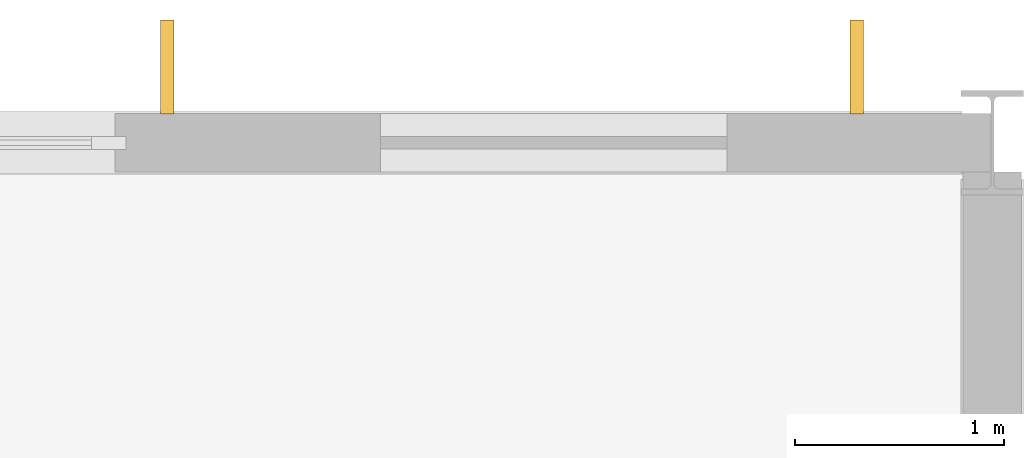
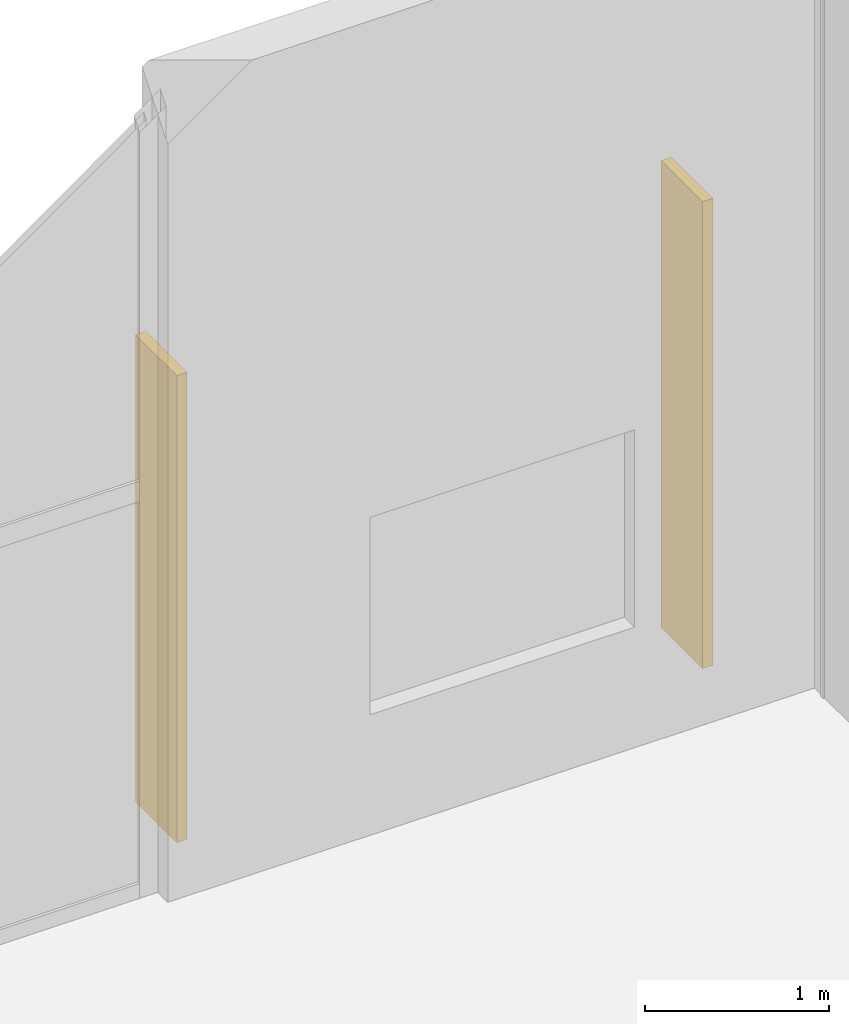
# One storey, part 100 of 100: 2 shading devices.
"""IFC4 building model written with IfcOpenShell, lengths in metres."""

from ifc_helpers import new_model, si_unit, direction, frame, origin, origin_2d, place, context, subcontext, project, spatial, rectangle, extrude, material, type_object, element, save


model = new_model("IFC4")

# Units and contexts
model_context = context("Model", 3, precision=1e-05, world=origin(), true_north=direction((0.0, 1.0)))
body_context = subcontext(model_context, "Body", "Model", "MODEL_VIEW")
ifc_project = project(units=[si_unit("LENGTHUNIT", "METRE"), si_unit("AREAUNIT", "SQUARE_METRE"), si_unit("VOLUMEUNIT", "CUBIC_METRE"), si_unit("PLANEANGLEUNIT", "RADIAN"), si_unit("MASSUNIT", "GRAM", prefix="KILO")], contexts=[model_context])

# Site, building, storey
site_placement = place(None, origin())
site = spatial("IfcSite", under=ifc_project, at=site_placement, CompositionType="ELEMENT")
building_placement = place(site_placement, origin())
building = spatial("IfcBuilding", under=site, at=building_placement, Name="Kimbaza Rail Terminus", CompositionType="ELEMENT")
storey_placement = place(building_placement, frame((0.0, 0.0, 10.800048828125)))
storey = spatial("IfcBuildingStorey", under=building, at=storey_placement, Name="L02", CompositionType="ELEMENT", Elevation=10.800048828125)

# Shading devices
ifc_material = material(Name="Champagne anodised extruded aluminium", Category="aluminium")
shading_device_type = type_object("IfcShadingDeviceType", Name="ARC-SHD-FIN450", PredefinedType="USERDEFINED", material=ifc_material)
for number, where, z_axis, x_axis, name in (
    (1, (152.050048828125, 133.363037109375, 0.14990234375), (0.0, 0.0, 1.0), (1.0, 0.0, 0.0), "North Solar Fin L02 Bay 6.3"),
    (2, (155.35009765625, 133.363037109375, 0.14990234375), (0.0, 0.0, 1.0), (1.0, 0.0, 0.0), "North Solar Fin L02 Bay 6.4"),
):
    element("IfcShadingDevice", number, at=place(storey_placement, frame(where, z_axis=z_axis, x_axis=x_axis)), inside=storey, type_object=shading_device_type, Name=name, ObjectType="BRISE SOLEIL FIN", PredefinedType="USERDEFINED", context=body_context, shape_type="SweptSolid", body=[
        extrude(rectangle(XDim=0.06494140625, YDim=0.449951171875, at=origin_2d()), origin(), (0.0, 0.0, 1.0), 3.10009765625),
    ])

save(model, "model.ifc")
